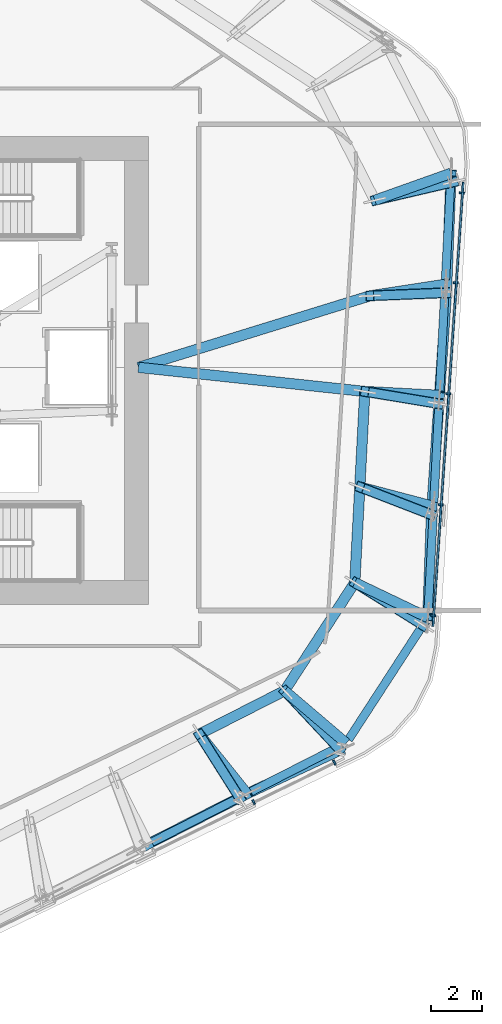
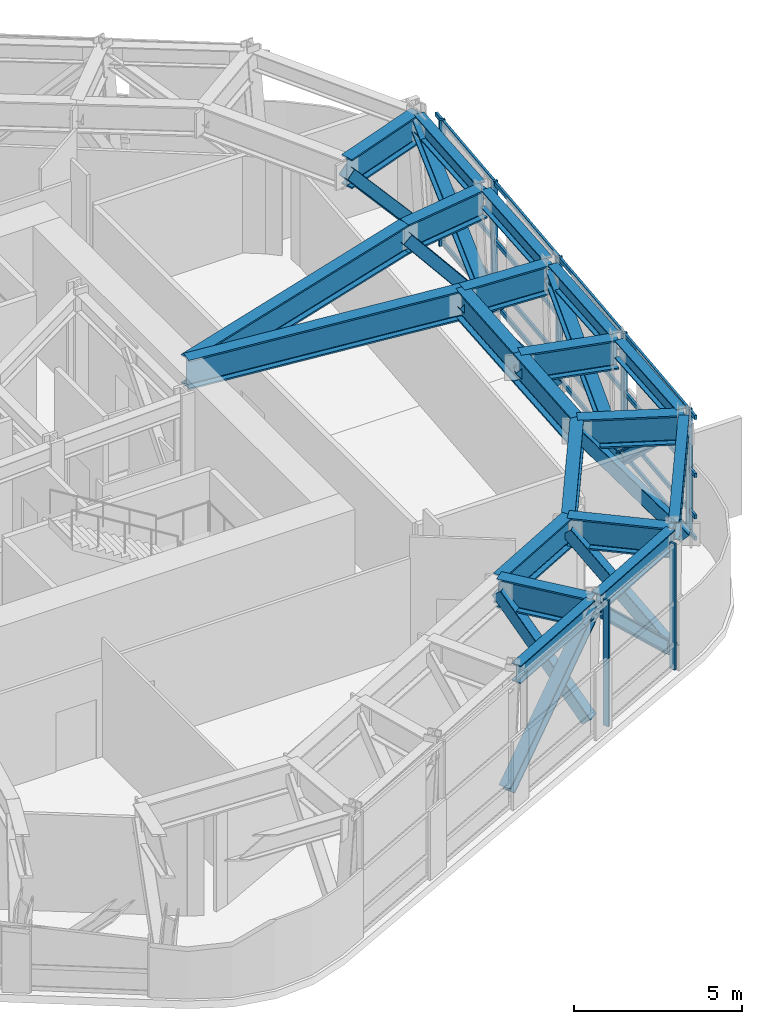
# One storey, part 4 of 14: 24 members, 20 beams, 2 elements without a shape of their own.
"""IFC4 building model written with IfcOpenShell, lengths in metres."""

import ifcopenshell
import ifcopenshell.guid

model = None  # the IFC model being written
_history = None  # IfcOwnerHistory: only IFC2X3 demands one
_inside = {}  # id of a spatial element -> (the spatial element, [elements in it])
_under = {}  # id of a project, library or spatial element -> (it, [spatial elements below it])
_declared = {}  # id of a project -> (the project, [libraries it declares])
_typed = {}  # id of a type object -> (the type object, [elements of that type])
_made_of = {}  # id of a material, layer set ... -> (it, [elements and type objects made of it])


def new_model(schema):
    """Start an empty IFC model of exactly this schema.

    Asked for "IFC4X3", IfcOpenShell would pick the latest addendum, in which some entities
    have other attributes; the version numbers below select the first issue.
    IFC2X3 requires an IfcOwnerHistory on every rooted entity: one is made here for all.
    """
    global model, _history
    if schema == "IFC4X3":
        model = ifcopenshell.file(schema_version=(4, 3, 0, 0))
    else:
        model = ifcopenshell.file(schema=schema)
    _inside.clear()
    _under.clear()
    _declared.clear()
    _typed.clear()
    _made_of.clear()
    _history = None
    if model.schema == "IFC2X3":
        org = make("IfcOrganization", Name="unknown")
        user = make(
            "IfcPersonAndOrganization",
            ThePerson=make("IfcPerson", FamilyName="unknown"),
            TheOrganization=org,
        )
        app = make(
            "IfcApplication",
            ApplicationDeveloper=org,
            Version="unknown",
            ApplicationFullName="unknown",
            ApplicationIdentifier="unknown",
        )
        _history = make(
            "IfcOwnerHistory",
            OwningUser=user,
            OwningApplication=app,
            ChangeAction="ADDED",
            CreationDate=0,
        )
    return model


def make(cls, **values):
    """One entity of the class cls with the attributes given. An attribute that is None is left unset."""
    return model.create_entity(
        cls, **{name: value for name, value in values.items() if value is not None}
    )


def rooted(cls, **values):
    """An entity with a GlobalId (a new one), such as an element, a storey or a relation."""
    return make(cls, GlobalId=ifcopenshell.guid.new(), OwnerHistory=_history, **values)


def si_unit(unit_type, name, prefix=None):
    """IfcSIUnit, for example si_unit("LENGTHUNIT", "METRE", prefix="MILLI")."""
    return make("IfcSIUnit", UnitType=unit_type, Prefix=prefix, Name=name)


def assignment(units):
    """IfcUnitAssignment: the units of a project."""
    return None if units is None else make("IfcUnitAssignment", Units=units)


def point(xyz):
    """IfcCartesianPoint."""
    return None if xyz is None else make("IfcCartesianPoint", Coordinates=xyz)


def direction(xyz):
    """IfcDirection."""
    return None if xyz is None else make("IfcDirection", DirectionRatios=xyz)


def frame(location, z_axis=None, x_axis=None):
    """IfcAxis2Placement3D, a coordinate frame: its origin and axes. An axis left out is left unset."""
    return make(
        "IfcAxis2Placement3D",
        Location=point(location),
        Axis=direction(z_axis),
        RefDirection=direction(x_axis),
    )


def frame_2d(location, x_axis=None):
    """IfcAxis2Placement2D, a coordinate frame in the plane: its origin and x axis."""
    return make(
        "IfcAxis2Placement2D", Location=point(location), RefDirection=direction(x_axis)
    )


def origin():
    """The frame at (0, 0, 0) with its axes left unset."""
    return frame((0.0, 0.0, 0.0))


def origin_2d():
    """The frame at (0, 0) in the plane with its x axis left unset."""
    return frame_2d((0.0, 0.0))


def place(relative_to, where):
    """IfcLocalPlacement: puts the frame where relative to a parent placement (None: the world)."""
    return make(
        "IfcLocalPlacement", PlacementRelTo=relative_to, RelativePlacement=where
    )


def context(
    kind, dimensions, precision=None, world=None, true_north=None, identifier=None
):
    """IfcGeometricRepresentationContext, for example the 3D "Model" context."""
    return make(
        "IfcGeometricRepresentationContext",
        ContextIdentifier=identifier,
        ContextType=kind,
        CoordinateSpaceDimension=dimensions,
        Precision=precision,
        WorldCoordinateSystem=world,
        TrueNorth=true_north,
    )


def subcontext(parent, identifier, kind, view, scale=None):
    """IfcGeometricRepresentationSubContext, for example "Body" below "Model"."""
    return make(
        "IfcGeometricRepresentationSubContext",
        ContextIdentifier=identifier,
        ContextType=kind,
        ParentContext=parent,
        TargetScale=scale,
        TargetView=view,
    )


def project(units=None, contexts=None):
    """IfcProject with its units and contexts."""
    return rooted(
        "IfcProject",
        Name="project",
        RepresentationContexts=contexts,
        UnitsInContext=assignment(units),
    )


def spatial(cls, under=None, at=None, **own):
    """A site, building, storey or space (cls), placed at a placement, below another one or the project."""
    s = rooted(cls, ObjectPlacement=at, **own)
    if under is not None:
        _under.setdefault(under.id(), (under, []))[1].append(s)
    return s


def profile(cls, at=None, kind="AREA", **sizes):
    """A parametric profile (cls). Its sizes go by their IFC names, for example OverallWidth=200.0."""
    return make(cls, ProfileType=kind, Position=at, **sizes)


def rectangle(**sizes):
    """IfcRectangleProfileDef."""
    return profile("IfcRectangleProfileDef", **sizes)


def hollow_rectangle(**sizes):
    """IfcRectangleHollowProfileDef."""
    return profile("IfcRectangleHollowProfileDef", **sizes)


def i_section(**sizes):
    """IfcIShapeProfileDef."""
    return profile("IfcIShapeProfileDef", **sizes)


def extrude(swept, where, along, depth):
    """IfcExtrudedAreaSolid: the profile swept, set in the frame where, extruded along a direction by depth."""
    return make(
        "IfcExtrudedAreaSolid",
        SweptArea=swept,
        Position=where,
        ExtrudedDirection=direction(along),
        Depth=depth,
    )


def shape(context_of_items, identifier, shape_type, items):
    """IfcShapeRepresentation: the items that make up one representation, for example the "Body"."""
    return make(
        "IfcShapeRepresentation",
        ContextOfItems=context_of_items,
        RepresentationIdentifier=identifier,
        RepresentationType=shape_type,
        Items=items,
    )


def material(Name=None, Category=None):
    """IfcMaterial."""
    return make("IfcMaterial", Name=Name, Category=Category)


def layer(
    of_material, thickness, ventilated=None, Name=None, Category=None, Priority=None
):
    """IfcMaterialLayer: one layer of a wall or slab, of a material (None: an air gap)."""
    return make(
        "IfcMaterialLayer",
        Material=of_material,
        LayerThickness=thickness,
        IsVentilated=ventilated,
        Name=Name,
        Category=Category,
        Priority=Priority,
    )


def layer_set(layers, Name=None):
    """IfcMaterialLayerSet."""
    return make("IfcMaterialLayerSet", MaterialLayers=layers, LayerSetName=Name)


def material_profile(
    of_material, cross_section, Name=None, Category=None, Priority=None
):
    """IfcMaterialProfile: a cross section and its material."""
    return make(
        "IfcMaterialProfile",
        Name=Name,
        Material=of_material,
        Profile=cross_section,
        Priority=Priority,
        Category=Category,
    )


def profile_set(profiles, Name=None, composite=None):
    """IfcMaterialProfileSet."""
    return make(
        "IfcMaterialProfileSet",
        Name=Name,
        MaterialProfiles=profiles,
        CompositeProfile=composite,
    )


def made_of(thing, what):
    """Note that an element or type object is made of a material, layer set ...; save() writes the relation."""
    if what is not None:
        _made_of.setdefault(what.id(), (what, []))[1].append(thing)
    return thing


def type_object(cls, material=None, **own):
    """A type object (cls), such as IfcWallType, which elements share."""
    return made_of(rooted(cls, **own), material)


def element(
    cls,
    number,
    at=None,
    inside=None,
    cuts=None,
    type_object=None,
    material=None,
    context=None,
    identifier="Body",
    shape_type=None,
    held_by="IfcProductDefinitionShape",
    body=None,
    shapes=None,
    **own,
):
    """One element of the class cls, such as IfcWall. Its Tag is "e" and its number.

    at: its placement. inside: the storey or other place that contains it. cuts: it is an
    opening in that element (IfcRelVoidsElement). A single representation is given by context,
    identifier, shape_type and body (its items); several are given by shapes. held_by: the class
    of the entity that holds the representations. save() writes the other relations.
    """
    e = rooted(cls, Tag="e%d" % number, ObjectPlacement=at, **own)
    if body is not None:
        shapes = [shape(context, identifier, shape_type, body)]
    if shapes is not None:
        e.Representation = make(held_by, Representations=shapes)
    if inside is not None:
        _inside.setdefault(inside.id(), (inside, []))[1].append(e)
    if cuts is not None:
        rooted(
            "IfcRelVoidsElement", RelatingBuildingElement=cuts, RelatedOpeningElement=e
        )
    if type_object is not None:
        _typed.setdefault(type_object.id(), (type_object, []))[1].append(e)
    return made_of(e, material)


def aggregate(whole, parts):
    """IfcRelAggregates: a whole, such as a stair, and the parts it consists of."""
    return rooted("IfcRelAggregates", RelatingObject=whole, RelatedObjects=parts)


def save(model, path):
    """Write the relations noted so far, then the file.

    IfcRelAggregates (storeys below a building ...), IfcRelContainedInSpatialStructure (elements
    in a storey), IfcRelDefinesByType, IfcRelAssociatesMaterial and IfcRelDeclares: one each for
    every whole, place, type object, material and project.
    """
    for whole, parts in _under.values():
        aggregate(whole, parts)
    for where, things in _inside.values():
        rooted(
            "IfcRelContainedInSpatialStructure",
            RelatedElements=things,
            RelatingStructure=where,
        )
    for kind, things in _typed.values():
        rooted("IfcRelDefinesByType", RelatedObjects=things, RelatingType=kind)
    for what, things in _made_of.values():
        rooted("IfcRelAssociatesMaterial", RelatedObjects=things, RelatingMaterial=what)
    for by, libraries in _declared.values():
        rooted("IfcRelDeclares", RelatingContext=by, RelatedDefinitions=libraries)
    model.write(path)


model = new_model("IFC4")

# Units and contexts
model_context = context("Model", 3, precision=1e-05, world=origin(), true_north=direction((0.0, 1.0)))
body_context = subcontext(model_context, "Body", "Model", "MODEL_VIEW")
ifc_project = project(units=[si_unit("LENGTHUNIT", "METRE"), si_unit("AREAUNIT", "SQUARE_METRE"), si_unit("VOLUMEUNIT", "CUBIC_METRE"), si_unit("PLANEANGLEUNIT", "RADIAN"), si_unit("MASSUNIT", "GRAM", prefix="KILO")], contexts=[model_context])

# Site, building, storey
site_placement = place(None, origin())
site = spatial("IfcSite", under=ifc_project, at=site_placement, CompositionType="ELEMENT")
building_placement = place(site_placement, origin())
building = spatial("IfcBuilding", under=site, at=building_placement, Name="Valkerne Bourse Tower", CompositionType="ELEMENT")
storey_placement = place(building_placement, frame((0.0, 0.0, 135.199951171875)))
storey = spatial("IfcBuildingStorey", under=building, at=storey_placement, Name="L34", CompositionType="ELEMENT", Elevation=135.199951171875)

# Beams
ifc_material_1 = material(Name="Steel ASTM A992", Category="steel")
ifc_material_profile_1 = material_profile(ifc_material_1, i_section(OverallWidth=0.330078125, OverallDepth=0.647705078125, WebThickness=0.0205078125, FlangeThickness=0.037109375, FilletRadius=0.020263671875, at=origin_2d()), Name="W24X192")
ifc_profile_set_1 = profile_set([ifc_material_profile_1], Name="Steel ASTM A992")
beam_type_1 = type_object("IfcBeamType", Name="BM-W24X192", PredefinedType="SPANDREL", material=ifc_profile_set_1)
for number, where, z_axis, x_axis, name in (
    (1, (56.525146484375, 8.287841796875, 4.25634765625), (0.891007696859, 0.453988198237, 0.0), (-0.453988198237, 0.891007696859, 0.0), "L34 Hexagonal Spandrel Ring Beam 22"),
    (2, (60.430419921875, 10.277587890625, 4.25634765625), (0.890983269344, 0.454036137052, 0.0), (-0.454036137052, 0.890983269344, 0.0), "L34 Hexagonal Spandrel Ring Beam 23"),
):
    element("IfcBeam", number, at=place(storey_placement, frame(where, z_axis=z_axis, x_axis=x_axis)), inside=storey, type_object=beam_type_1, Name=name, PredefinedType="SPANDREL", context=body_context, shape_type="SweptSolid", body=[
        extrude(i_section(OverallWidth=0.330078125, OverallDepth=0.647705078125, WebThickness=0.0205078125, FlangeThickness=0.037109375, FilletRadius=0.020263671875, at=origin_2d()), origin(), (0.0, 0.0, 1.0), 4.04296875),
    ])
beam_1_placement = place(storey_placement, frame((64.27685546875, 12.3330078125, 4.25634765625), z_axis=(0.544625883891, 0.838679108239, 0.0), x_axis=(-0.838679108239, 0.544625883891, 0.0)))
element("IfcBeam", 3, at=beam_1_placement, inside=storey, type_object=beam_type_1, Name="L34 Hexagonal Spandrel Ring Beam 24", PredefinedType="SPANDREL", context=body_context, shape_type="SweptSolid", body=[
    extrude(i_section(OverallWidth=0.330078125, OverallDepth=0.647705078125, WebThickness=0.0205078125, FlangeThickness=0.037109375, FilletRadius=0.020263671875, at=origin_2d()), origin(), (0.0, 0.0, 1.0), 5.564453125),
])
for number, where, z_axis, x_axis, name in (
    (4, (67.408935546875, 17.312255859375, 4.25634765625), (0.052355983339, 0.998628484978, 0.0), (-0.998628484978, 0.052355983339, 0.0), "L34 Hexagonal Spandrel Ring Beam 25"),
    (5, (67.63818359375, 21.689208984375, 4.25634765625), (0.052355983339, 0.998628484978, 0.0), (-0.998628484978, 0.052355983339, 0.0), "L34 Hexagonal Spandrel Ring Beam 26"),
    (6, (67.86767578125, 26.066162109375, 4.25634765625), (0.052355983339, 0.998628484978, 0.0), (-0.998628484978, 0.052355983339, 0.0), "L34 Hexagonal Spandrel Ring Beam 27"),
    (7, (68.09716796875, 30.443115234375, 4.25634765625), (0.052295761061, 0.998631640484, 0.0), (-0.998631640484, 0.052295761061, 0.0), "L34 Hexagonal Spandrel Ring Beam 28"),
):
    element("IfcBeam", number, at=place(storey_placement, frame(where, z_axis=z_axis, x_axis=x_axis)), inside=storey, type_object=beam_type_1, Name=name, PredefinedType="SPANDREL", context=body_context, shape_type="SweptSolid", body=[
        extrude(i_section(OverallWidth=0.330078125, OverallDepth=0.647705078125, WebThickness=0.0205078125, FlangeThickness=0.037109375, FilletRadius=0.020263671875, at=origin_2d()), origin(), (0.0, 0.0, 1.0), 4.04296875),
    ])
ifc_material_2 = material(Name="Steel ASTM A913 Grade 65", Category="steel")
ifc_material_profile_2 = material_profile(ifc_material_2, i_section(OverallWidth=0.408935546875, OverallDepth=1.06689453125, WebThickness=0.031005859375, FlangeThickness=0.055908203125, FilletRadius=0.030517578125, at=origin_2d()), Name="W40X397")
ifc_profile_set_2 = profile_set([ifc_material_profile_2], Name="Steel ASTM A913 Grade 65")
beam_type_2 = type_object("IfcBeamType", Name="BM-W40X397", PredefinedType="BEAM", material=ifc_profile_set_2)
beam_2_placement = place(storey_placement, frame((60.27880859375, 10.200439453125, 4.046630859375), z_axis=(-0.625773476751, 0.780004843443, 0.0), x_axis=(-0.780004843443, -0.625773476751, 0.0)))
element("IfcBeam", 8, at=beam_2_placement, inside=storey, type_object=beam_type_2, Name="L34 Radial Setback Transfer Girder Out 23", PredefinedType="BEAM", context=body_context, shape_type="SweptSolid", body=[
    extrude(i_section(OverallWidth=0.408935546875, OverallDepth=1.06689453125, WebThickness=0.031005859375, FlangeThickness=0.055908203125, FilletRadius=0.030517578125, at=origin_2d()), origin(), (0.0, 0.0, 1.0), 3.007568359375),
])
beam_3_placement = place(storey_placement, frame((58.396728515625, 12.54638671875, 4.046630859375), z_axis=(0.891022204047, 0.453959724971, 0.0), x_axis=(-0.453959724971, 0.891022204047, 0.0)))
element("IfcBeam", 9, at=beam_3_placement, inside=storey, type_object=beam_type_2, Name="L34 Setback Ring Transfer Girder 23", PredefinedType="BEAM", context=body_context, shape_type="SweptSolid", body=[
    extrude(i_section(OverallWidth=0.408935546875, OverallDepth=1.06689453125, WebThickness=0.031005859375, FlangeThickness=0.055908203125, FilletRadius=0.030517578125, at=origin_2d()), origin(), (0.0, 0.0, 1.0), 3.77099609375),
])
beam_4_placement = place(storey_placement, frame((64.18408203125, 12.1904296875, 4.046630859375), z_axis=(-0.761209633358, 0.648505893638, 0.0), x_axis=(-0.648505893638, -0.761209633358, 0.0)))
element("IfcBeam", 10, at=beam_4_placement, inside=storey, type_object=beam_type_2, Name="L34 Radial Setback Transfer Girder Out 24", PredefinedType="BEAM", context=body_context, shape_type="SweptSolid", body=[
    extrude(i_section(OverallWidth=0.408935546875, OverallDepth=1.06689453125, WebThickness=0.031005859375, FlangeThickness=0.055908203125, FilletRadius=0.030517578125, at=origin_2d()), origin(), (0.0, 0.0, 1.0), 3.188720703125),
])
beam_5_placement = place(storey_placement, frame((61.7568359375, 14.25830078125, 4.046630859375), z_axis=(0.544645392992, 0.838666438993, 0.0), x_axis=(-0.838666438993, 0.544645392992, 0.0)))
element("IfcBeam", 11, at=beam_5_placement, inside=storey, type_object=beam_type_2, Name="L34 Setback Ring Transfer Girder 24", PredefinedType="BEAM", context=body_context, shape_type="SweptSolid", body=[
    extrude(i_section(OverallWidth=0.408935546875, OverallDepth=1.06689453125, WebThickness=0.031005859375, FlangeThickness=0.055908203125, FilletRadius=0.030517578125, at=origin_2d()), origin(), (0.0, 0.0, 1.0), 5.080078125),
])
beam_6_placement = place(storey_placement, frame((67.39990234375, 17.142333984375, 4.046630859375), z_axis=(-0.902026647518, 0.431680353001, 0.0), x_axis=(-0.431680353001, -0.902026647518, 0.0)))
element("IfcBeam", 12, at=beam_6_placement, inside=storey, type_object=beam_type_2, Name="L34 Radial Setback Transfer Girder Out 25", PredefinedType="BEAM", context=body_context, shape_type="SweptSolid", body=[
    extrude(i_section(OverallWidth=0.408935546875, OverallDepth=1.06689453125, WebThickness=0.031005859375, FlangeThickness=0.055908203125, FilletRadius=0.030517578125, at=origin_2d()), origin(), (0.0, 0.0, 1.0), 3.188720703125),
])
beam_7_placement = place(storey_placement, frame((64.523681640625, 18.518798828125, 4.046630859375), z_axis=(0.052310776666, 0.998630854042, 0.0), x_axis=(-0.998630854042, 0.052310776666, 0.0)))
element("IfcBeam", 13, at=beam_7_placement, inside=storey, type_object=beam_type_2, Name="L34 Setback Ring Transfer Girder 25", PredefinedType="BEAM", context=body_context, shape_type="SweptSolid", body=[
    extrude(i_section(OverallWidth=0.408935546875, OverallDepth=1.06689453125, WebThickness=0.031005859375, FlangeThickness=0.055908203125, FilletRadius=0.030517578125, at=origin_2d()), origin(), (0.0, 0.0, 1.0), 3.77099609375),
])
beam_8_placement = place(storey_placement, frame((67.62939453125, 21.519287109375, 4.046630859375), z_axis=(-0.967074537263, 0.25449329928, 0.0), x_axis=(-0.25449329928, -0.967074537263, 0.0)))
element("IfcBeam", 14, at=beam_8_placement, inside=storey, type_object=beam_type_2, Name="L34 Radial Setback Transfer Girder Out 26", PredefinedType="BEAM", context=body_context, shape_type="SweptSolid", body=[
    extrude(i_section(OverallWidth=0.408935546875, OverallDepth=1.06689453125, WebThickness=0.031005859375, FlangeThickness=0.055908203125, FilletRadius=0.030517578125, at=origin_2d()), origin(), (0.0, 0.0, 1.0), 3.007568359375),
])
beam_9_placement = place(storey_placement, frame((64.720947265625, 22.28466796875, 4.046630859375), z_axis=(0.052375340239, 0.998627469948, 0.0), x_axis=(-0.998627469948, 0.052375340239, 0.0)))
element("IfcBeam", 15, at=beam_9_placement, inside=storey, type_object=beam_type_2, Name="L34 Setback Ring Transfer Girder 26", PredefinedType="BEAM", context=body_context, shape_type="SweptSolid", body=[
    extrude(i_section(OverallWidth=0.408935546875, OverallDepth=1.06689453125, WebThickness=0.031005859375, FlangeThickness=0.055908203125, FilletRadius=0.030517578125, at=origin_2d()), origin(), (0.0, 0.0, 1.0), 3.77099609375),
])
beam_10_placement = place(storey_placement, frame((67.85888671875, 25.896484375, 4.046630859375), z_axis=(-0.998630398257, 0.052319477026, 0.0), x_axis=(-0.052319477026, -0.998630398257, 0.0)))
element("IfcBeam", 16, at=beam_10_placement, inside=storey, type_object=beam_type_2, Name="L34 Radial Setback Transfer Girder Out 27", PredefinedType="BEAM", context=body_context, shape_type="SweptSolid", body=[
    extrude(i_section(OverallWidth=0.408935546875, OverallDepth=1.06689453125, WebThickness=0.031005859375, FlangeThickness=0.055908203125, FilletRadius=0.030517578125, at=origin_2d()), origin(), (0.0, 0.0, 1.0), 2.944580078125),
])
beam_11_placement = place(storey_placement, frame((64.91845703125, 26.050537109375, 4.046630859375), z_axis=(-0.994380807342, 0.105862221729, 0.0), x_axis=(-0.105862221729, -0.994380807342, 0.0)))
element("IfcBeam", 17, at=beam_11_placement, inside=storey, type_object=beam_type_2, Name="L34 Radial Setback Transfer Girder In 27", PredefinedType="BEAM", context=body_context, shape_type="SweptSolid", body=[
    extrude(i_section(OverallWidth=0.408935546875, OverallDepth=1.06689453125, WebThickness=0.031005859375, FlangeThickness=0.055908203125, FilletRadius=0.030517578125, at=origin_2d()), origin(), (0.0, 0.0, 1.0), 8.96875),
])
beam_12_placement = place(storey_placement, frame((68.088134765625, 30.273193359375, 4.046630859375), z_axis=(-0.988397024131, -0.151892470813, 0.0), x_axis=(0.151892470813, -0.988397024131, 0.0)))
element("IfcBeam", 18, at=beam_12_placement, inside=storey, type_object=beam_type_2, Name="L34 Radial Setback Transfer Girder Out 28", PredefinedType="BEAM", context=body_context, shape_type="SweptSolid", body=[
    extrude(i_section(OverallWidth=0.408935546875, OverallDepth=1.06689453125, WebThickness=0.031005859375, FlangeThickness=0.055908203125, FilletRadius=0.030517578125, at=origin_2d()), origin(), (0.0, 0.0, 1.0), 3.00732421875),
])
beam_13_placement = place(storey_placement, frame((65.11572265625, 29.81640625, 4.046630859375), z_axis=(-0.955437550692, -0.295193304001, 0.0), x_axis=(0.295193304001, -0.955437550692, 0.0)))
element("IfcBeam", 19, at=beam_13_placement, inside=storey, type_object=beam_type_2, Name="L34 Radial Setback Transfer Girder In 28", PredefinedType="BEAM", context=body_context, shape_type="SweptSolid", body=[
    extrude(i_section(OverallWidth=0.408935546875, OverallDepth=1.06689453125, WebThickness=0.031005859375, FlangeThickness=0.055908203125, FilletRadius=0.030517578125, at=origin_2d()), origin(), (0.0, 0.0, 1.0), 9.540771484375),
])
beam_14_placement = place(storey_placement, frame((68.317626953125, 34.650390625, 4.046630859375), z_axis=(-0.942210394042, -0.335021750575, 0.0), x_axis=(0.335021750575, -0.942210394042, 0.0)))
element("IfcBeam", 20, at=beam_14_placement, inside=storey, type_object=beam_type_2, Name="L34 Radial Setback Transfer Girder Out 29", PredefinedType="BEAM", context=body_context, shape_type="SweptSolid", body=[
    extrude(i_section(OverallWidth=0.408935546875, OverallDepth=1.06689453125, WebThickness=0.031005859375, FlangeThickness=0.055908203125, FilletRadius=0.030517578125, at=origin_2d()), origin(), (0.0, 0.0, 1.0), 3.18896484375),
])

# Curtain wall, members
ifc_material_3 = material(Name="Aluminium AA 6063-T6", Category="aluminium")
ifc_layer = layer(ifc_material_3, 0.25)
ifc_layer_set = layer_set([ifc_layer], Name="Aluminium AA 6063-T6")
curtain_wall_type = type_object("IfcCurtainWallType", Name="CW-06", PredefinedType="NOTDEFINED", material=ifc_layer_set)
curtain_wall_1_placement = place(storey_placement, origin())
curtain_wall_1 = element("IfcCurtainWall", 21, at=curtain_wall_1_placement, inside=storey, type_object=curtain_wall_type, Name="L34 Hexagonal Stick Curtain Wall Face 5", PredefinedType="NOTDEFINED")
ifc_material_profile_3 = material_profile(ifc_material_3, rectangle(XDim=0.074951171875, YDim=0.199951171875, at=origin_2d()), Name="CWM-75X200")
ifc_profile_set_3 = profile_set([ifc_material_profile_3], Name="Aluminium AA 6063-T6")
member_type_1 = type_object("IfcMemberType", Name="CW-MUL-220X75", PredefinedType="MULLION", material=ifc_profile_set_3)
member_1_placement = place(storey_placement, frame((60.540283203125, 9.870361328125, 0.0), z_axis=(0.0, 0.0, 1.0), x_axis=(0.898020950754, 0.439952692919, 0.0)))
member_1 = element("IfcMember", 22, at=member_1_placement, type_object=member_type_1, Name="CW-L34-F5 Jamb Mullion 03A", PredefinedType="MULLION", context=body_context, shape_type="SweptSolid", body=[
    extrude(rectangle(XDim=0.074951171875, YDim=0.199951171875, at=origin_2d()), origin(), (0.0, 0.0, 1.0), 4.580078125),
])
member_2_placement = place(storey_placement, frame((63.7216796875, 11.42919921875, 0.0), z_axis=(0.0, 0.0, 1.0), x_axis=(0.898020950754, 0.439952692919, 0.0)))
member_2 = element("IfcMember", 23, at=member_2_placement, type_object=member_type_1, Name="CW-L34-F5 Jamb Mullion 03B", PredefinedType="MULLION", context=body_context, shape_type="SweptSolid", body=[
    extrude(rectangle(XDim=0.074951171875, YDim=0.199951171875, at=origin_2d()), origin(), (0.0, 0.0, 1.0), 4.580078125),
])
aggregate(curtain_wall_1, [member_1, member_2])

curtain_wall_2_placement = place(storey_placement, origin())
curtain_wall_2 = element("IfcCurtainWall", 24, at=curtain_wall_2_placement, inside=storey, type_object=curtain_wall_type, Name="L34 Hexagonal Stick Curtain Wall Face 6", PredefinedType="NOTDEFINED")
member_3_placement = place(storey_placement, frame((67.610595703125, 17.2158203125, 0.0), z_axis=(0.0, 0.0, 1.0), x_axis=(0.068012017201, 0.997684501993, 0.0)))
member_3 = element("IfcMember", 25, at=member_3_placement, type_object=member_type_1, Name="CW-L34-F6 Jamb Mullion 00A", PredefinedType="MULLION", context=body_context, shape_type="SweptSolid", body=[
    extrude(rectangle(XDim=0.074951171875, YDim=0.199951171875, at=origin_2d()), origin(), (0.0, 0.0, 1.0), 4.580078125),
])
member_4_placement = place(storey_placement, frame((67.90869140625, 21.5888671875, 0.0), z_axis=(0.0, 0.0, 1.0), x_axis=(0.068013565363, 0.997684396453, 0.0)))
member_4 = element("IfcMember", 26, at=member_4_placement, type_object=member_type_1, Name="CW-L34-F6 Jamb Mullion 01A", PredefinedType="MULLION", context=body_context, shape_type="SweptSolid", body=[
    extrude(rectangle(XDim=0.074951171875, YDim=0.199951171875, at=origin_2d()), origin(), (0.0, 0.0, 1.0), 4.580078125),
])
member_5_placement = place(storey_placement, frame((68.206787109375, 25.961669921875, 0.0), z_axis=(0.0, 0.0, 1.0), x_axis=(0.068012017201, 0.997684501993, 0.0)))
member_5 = element("IfcMember", 27, at=member_5_placement, type_object=member_type_1, Name="CW-L34-F6 Jamb Mullion 02A", PredefinedType="MULLION", context=body_context, shape_type="SweptSolid", body=[
    extrude(rectangle(XDim=0.074951171875, YDim=0.199951171875, at=origin_2d()), origin(), (0.0, 0.0, 1.0), 4.580078125),
])
member_6_placement = place(storey_placement, frame((68.5048828125, 30.33447265625, 0.0), z_axis=(0.0, 0.0, 1.0), x_axis=(0.068013565363, 0.997684396453, 0.0)))
member_6 = element("IfcMember", 28, at=member_6_placement, type_object=member_type_1, Name="CW-L34-F6 Jamb Mullion 03A", PredefinedType="MULLION", context=body_context, shape_type="SweptSolid", body=[
    extrude(rectangle(XDim=0.074951171875, YDim=0.199951171875, at=origin_2d()), origin(), (0.0, 0.0, 1.0), 4.580078125),
])
member_7_placement = place(storey_placement, frame((68.74560546875, 33.869140625, 0.0), z_axis=(0.0, 0.0, 1.0), x_axis=(0.068013565363, 0.997684396453, 0.0)))
member_7 = element("IfcMember", 29, at=member_7_placement, type_object=member_type_1, Name="CW-L34-F6 Jamb Mullion 03B", PredefinedType="MULLION", context=body_context, shape_type="SweptSolid", body=[
    extrude(rectangle(XDim=0.074951171875, YDim=0.199951171875, at=origin_2d()), origin(), (0.0, 0.0, 1.0), 4.580078125),
])
ifc_material_profile_4 = material_profile(ifc_material_3, rectangle(XDim=0.074951171875, YDim=0.14990234375, at=origin_2d()), Name="CWT-75X150")
ifc_profile_set_4 = profile_set([ifc_material_profile_4], Name="Aluminium AA 6063-T6")
member_type_2 = type_object("IfcMemberType", Name="CW-TRN-180X65", PredefinedType="USERDEFINED", material=ifc_profile_set_4)
member_8_placement = place(storey_placement, frame((67.601806640625, 16.79541015625, 0.1201171875), z_axis=(0.068011602287, 0.997684530277, 0.0), x_axis=(-0.997684530277, 0.068011602287, 0.0)))
member_8 = element("IfcMember", 30, at=member_8_placement, type_object=member_type_2, Name="CW-L34-F6 Continuous Face Transom 1", ObjectType="TRANSOM", PredefinedType="USERDEFINED", context=body_context, shape_type="SweptSolid", body=[
    extrude(rectangle(XDim=0.074951171875, YDim=0.14990234375, at=origin_2d()), origin(), (0.0, 0.0, 1.0), 17.531982421875),
])
member_9_placement = place(storey_placement, frame((67.601806640625, 16.79541015625, 0.900146484375), z_axis=(0.068011602287, 0.997684530277, 0.0), x_axis=(-0.997684530277, 0.068011602287, 0.0)))
member_9 = element("IfcMember", 31, at=member_9_placement, type_object=member_type_2, Name="CW-L34-F6 Continuous Face Transom 2", ObjectType="TRANSOM", PredefinedType="USERDEFINED", context=body_context, shape_type="SweptSolid", body=[
    extrude(rectangle(XDim=0.074951171875, YDim=0.14990234375, at=origin_2d()), origin(), (0.0, 0.0, 1.0), 17.531982421875),
])
member_10_placement = place(storey_placement, frame((67.601806640625, 16.79541015625, 2.400146484375), z_axis=(0.068011602287, 0.997684530277, 0.0), x_axis=(-0.997684530277, 0.068011602287, 0.0)))
member_10 = element("IfcMember", 32, at=member_10_placement, type_object=member_type_2, Name="CW-L34-F6 Continuous Face Transom 3", ObjectType="TRANSOM", PredefinedType="USERDEFINED", context=body_context, shape_type="SweptSolid", body=[
    extrude(rectangle(XDim=0.074951171875, YDim=0.14990234375, at=origin_2d()), origin(), (0.0, 0.0, 1.0), 17.531982421875),
])
member_11_placement = place(storey_placement, frame((67.601806640625, 16.79541015625, 4.5), z_axis=(0.068011602287, 0.997684530277, 0.0), x_axis=(-0.997684530277, 0.068011602287, 0.0)))
member_11 = element("IfcMember", 33, at=member_11_placement, type_object=member_type_2, Name="CW-L34-F6 Continuous Face Transom 4", ObjectType="TRANSOM", PredefinedType="USERDEFINED", context=body_context, shape_type="SweptSolid", body=[
    extrude(rectangle(XDim=0.074951171875, YDim=0.14990234375, at=origin_2d()), origin(), (0.0, 0.0, 1.0), 17.531982421875),
])
aggregate(curtain_wall_2, [member_8, member_9, member_10, member_11, member_3, member_4, member_5, member_6, member_7])

# Members
ifc_material_4 = material(Name="Steel ASTM A500 Grade C", Category="steel")
ifc_material_profile_5 = material_profile(ifc_material_4, hollow_rectangle(XDim=0.39990234375, YDim=0.39990234375, WallThickness=0.01611328125, OuterFilletRadius=0.031982421875, at=origin_2d()), Name="HSS400X400X16")
ifc_profile_set_5 = profile_set([ifc_material_profile_5], Name="Steel ASTM A500 Grade C")
member_type_3 = type_object("IfcMemberType", Name="MBR-HSS400X400X16", PredefinedType="BRACE", material=ifc_profile_set_5)
member_12_placement = place(storey_placement, frame((60.013427734375, 9.990966796875, 0.35009765625), z_axis=(-0.338519190089, 0.535077070774, 0.774013750701), x_axis=(-0.845078091596, -0.534642889324, 0.0)))
element("IfcMember", 34, at=member_12_placement, inside=storey, type_object=member_type_3, Name="L34 Setback Outrigger Knee Strut 23", PredefinedType="BRACE", context=body_context, shape_type="SweptSolid", body=[
    extrude(hollow_rectangle(XDim=0.39990234375, YDim=0.39990234375, WallThickness=0.01611328125, OuterFilletRadius=0.031982421875, at=origin_2d()), origin(), (0.0, 0.0, 1.0), 4.77587890625),
])
member_13_placement = place(storey_placement, frame((63.949462890625, 11.919189453125, 0.35009765625), z_axis=(-0.44809667851, 0.478032989289, 0.755442802507), x_axis=(-0.729582321945, -0.683893000041, 0.0)))
element("IfcMember", 35, at=member_13_placement, inside=storey, type_object=member_type_3, Name="L34 Setback Outrigger Knee Strut 24", PredefinedType="BRACE", context=body_context, shape_type="SweptSolid", body=[
    extrude(hollow_rectangle(XDim=0.39990234375, YDim=0.39990234375, WallThickness=0.01611328125, OuterFilletRadius=0.031982421875, at=origin_2d()), origin(), (0.0, 0.0, 1.0), 4.893310546875),
])
member_14_placement = place(storey_placement, frame((67.24267578125, 16.820068359375, 0.35009765625), z_axis=(-0.555672932498, 0.347164610247, 0.755449750467), x_axis=(-0.529855187622, -0.848088132301, 0.0)))
element("IfcMember", 36, at=member_14_placement, inside=storey, type_object=member_type_3, Name="L34 Setback Outrigger Knee Strut 25", PredefinedType="BRACE", context=body_context, shape_type="SweptSolid", body=[
    extrude(hollow_rectangle(XDim=0.39990234375, YDim=0.39990234375, WallThickness=0.01611328125, OuterFilletRadius=0.031982421875, at=origin_2d()), origin(), (0.0, 0.0, 1.0), 4.89306640625),
])
member_15_placement = place(storey_placement, frame((67.540771484375, 21.19287109375, 0.35009765625), z_axis=(-0.590446379961, 0.228612658977, 0.774021527185), x_axis=(-0.361066584256, -0.932540037603, 0.0)))
element("IfcMember", 37, at=member_15_placement, inside=storey, type_object=member_type_3, Name="L34 Setback Outrigger Knee Strut 26", PredefinedType="BRACE", context=body_context, shape_type="SweptSolid", body=[
    extrude(hollow_rectangle(XDim=0.39990234375, YDim=0.39990234375, WallThickness=0.01611328125, OuterFilletRadius=0.031982421875, at=origin_2d()), origin(), (0.0, 0.0, 1.0), 4.775634765625),
])
member_16_placement = place(storey_placement, frame((67.8388671875, 25.565673828125, 0.35009765625), z_axis=(-0.616660596214, 0.102381536873, 0.780543227493), x_axis=(-0.163783779872, -0.986496261245, 0.0)))
element("IfcMember", 38, at=member_16_placement, inside=storey, type_object=member_type_3, Name="L34 Setback Outrigger Knee Strut 27", PredefinedType="BRACE", context=body_context, shape_type="SweptSolid", body=[
    extrude(hollow_rectangle(XDim=0.39990234375, YDim=0.39990234375, WallThickness=0.01611328125, OuterFilletRadius=0.031982421875, at=origin_2d()), origin(), (0.0, 0.0, 1.0), 4.73583984375),
])
member_17_placement = place(storey_placement, frame((68.136962890625, 29.938720703125, 0.35009765625), z_axis=(-0.632629105121, -0.025611893468, 0.774031295405), x_axis=(0.040451711416, -0.999181494546, 0.0)))
element("IfcMember", 39, at=member_17_placement, inside=storey, type_object=member_type_3, Name="L34 Setback Outrigger Knee Strut 28", PredefinedType="BRACE", context=body_context, shape_type="SweptSolid", body=[
    extrude(hollow_rectangle(XDim=0.39990234375, YDim=0.39990234375, WallThickness=0.01611328125, OuterFilletRadius=0.031982421875, at=origin_2d()), origin(), (0.0, 0.0, 1.0), 4.775634765625),
])
member_18_placement = place(storey_placement, frame((68.43505859375, 34.311279296875, 0.35009765625), z_axis=(-0.638041624548, -0.149032712897, 0.755441682614), x_axis=(0.227455888789, -0.973788384946, 0.0)))
element("IfcMember", 40, at=member_18_placement, inside=storey, type_object=member_type_3, Name="L34 Setback Outrigger Knee Strut 29", PredefinedType="BRACE", context=body_context, shape_type="SweptSolid", body=[
    extrude(hollow_rectangle(XDim=0.39990234375, YDim=0.39990234375, WallThickness=0.01611328125, OuterFilletRadius=0.031982421875, at=origin_2d()), origin(), (0.0, 0.0, 1.0), 4.893310546875),
])
ifc_material_profile_6 = material_profile(ifc_material_2, i_section(OverallWidth=0.40380859375, OverallDepth=0.406494140625, WebThickness=0.027099609375, FlangeThickness=0.043701171875, FilletRadius=0.025390625, at=origin_2d()), Name="W14X233")
ifc_profile_set_6 = profile_set([ifc_material_profile_6], Name="Steel ASTM A913 Grade 65")
member_type_4 = type_object("IfcMemberType", Name="MBR-W14X233", PredefinedType="BRACE", material=ifc_profile_set_6)
member_19_placement = place(storey_placement, frame((56.077392578125, 8.0625, 0.35009765625), z_axis=(0.688145115371, 0.350170653455, 0.635481560432), x_axis=(-0.453520757531, 0.891245713868, 0.0)))
element("IfcMember", 41, at=member_19_placement, inside=storey, type_object=member_type_4, Name="L34 Perimeter Belt Truss Diagonal 22", PredefinedType="BRACE", context=body_context, shape_type="SweptSolid", body=[
    extrude(i_section(OverallWidth=0.40380859375, OverallDepth=0.406494140625, WebThickness=0.027099609375, FlangeThickness=0.043701171875, FilletRadius=0.025390625, at=origin_2d()), origin(), (0.0, 0.0, 1.0), 6.10546875),
])
for number, where, z_axis, x_axis, name in (
    (42, (63.949462890625, 11.919189453125, 0.35009765625), (-0.654210015839, -0.306327802561, 0.691500204305), (0.424055741633, -0.905636090264, 0.0), "L34 Perimeter Belt Truss Diagonal 23"),
    (43, (67.540771484375, 21.19287109375, 0.35009765625), (-0.025107138765, -0.721928144288, 0.691512390394), (0.99939579716, -0.034756878727, 0.0), "L34 Perimeter Belt Truss Diagonal 25"),
):
    element("IfcMember", number, at=place(storey_placement, frame(where, z_axis=z_axis, x_axis=x_axis)), inside=storey, type_object=member_type_4, Name=name, PredefinedType="BRACE", context=body_context, shape_type="SweptSolid", body=[
        extrude(i_section(OverallWidth=0.40380859375, OverallDepth=0.406494140625, WebThickness=0.027099609375, FlangeThickness=0.043701171875, FilletRadius=0.025390625, at=origin_2d()), origin(), (0.0, 0.0, 1.0), 5.61083984375),
    ])
member_20_placement = place(storey_placement, frame((67.540771484375, 21.19287109375, 0.35009765625), z_axis=(0.052101987122, 0.770373663769, 0.635460306478), x_axis=(-0.997720765772, 0.067477948604, 0.0)))
element("IfcMember", 44, at=member_20_placement, inside=storey, type_object=member_type_4, Name="L34 Perimeter Belt Truss Diagonal 26", PredefinedType="BRACE", context=body_context, shape_type="SweptSolid", body=[
    extrude(i_section(OverallWidth=0.40380859375, OverallDepth=0.406494140625, WebThickness=0.027099609375, FlangeThickness=0.043701171875, FilletRadius=0.025390625, at=origin_2d()), origin(), (0.0, 0.0, 1.0), 6.105712890625),
])
member_21_placement = place(storey_placement, frame((68.136962890625, 29.938720703125, 0.35009765625), z_axis=(-0.04956921178, -0.720559648324, 0.691618888154), x_axis=(0.997642150737, -0.068630452962, 0.0)))
element("IfcMember", 45, at=member_21_placement, inside=storey, type_object=member_type_4, Name="L34 Perimeter Belt Truss Diagonal 27", PredefinedType="BRACE", context=body_context, shape_type="SweptSolid", body=[
    extrude(i_section(OverallWidth=0.40380859375, OverallDepth=0.406494140625, WebThickness=0.027099609375, FlangeThickness=0.043701171875, FilletRadius=0.025390625, at=origin_2d()), origin(), (0.0, 0.0, 1.0), 5.60986328125),
])
member_22_placement = place(storey_placement, frame((68.136962890625, 29.938720703125, 0.35009765625), z_axis=(0.029586874269, 0.771617684473, 0.63539811605), x_axis=(-0.999265680164, 0.038315798918, 0.0)))
element("IfcMember", 46, at=member_22_placement, inside=storey, type_object=member_type_4, Name="L34 Perimeter Belt Truss Diagonal 28", PredefinedType="BRACE", context=body_context, shape_type="SweptSolid", body=[
    extrude(i_section(OverallWidth=0.40380859375, OverallDepth=0.406494140625, WebThickness=0.027099609375, FlangeThickness=0.043701171875, FilletRadius=0.025390625, at=origin_2d()), origin(), (0.0, 0.0, 1.0), 6.106201171875),
])

save(model, "model.ifc")
